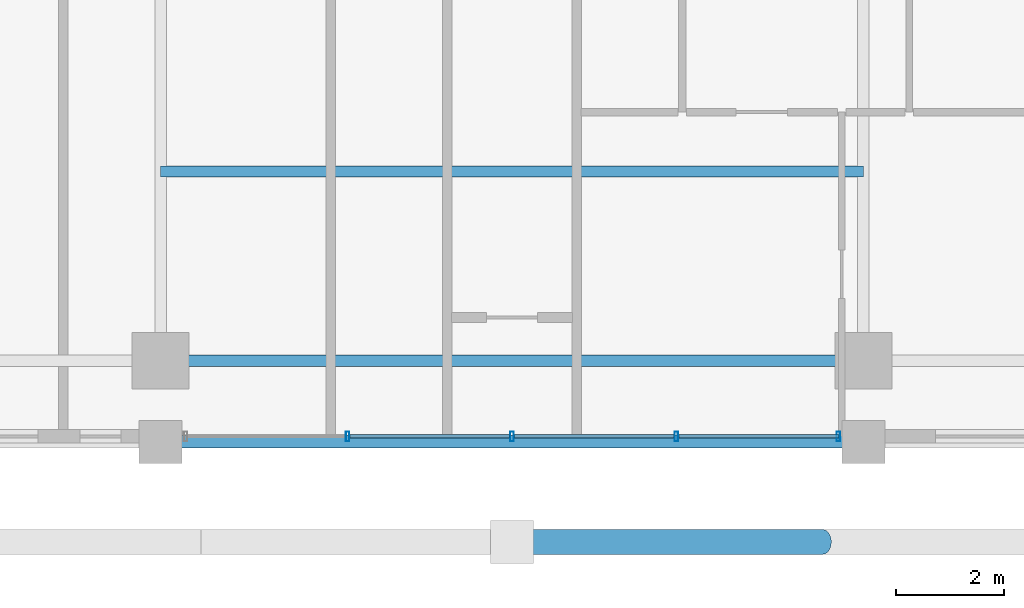
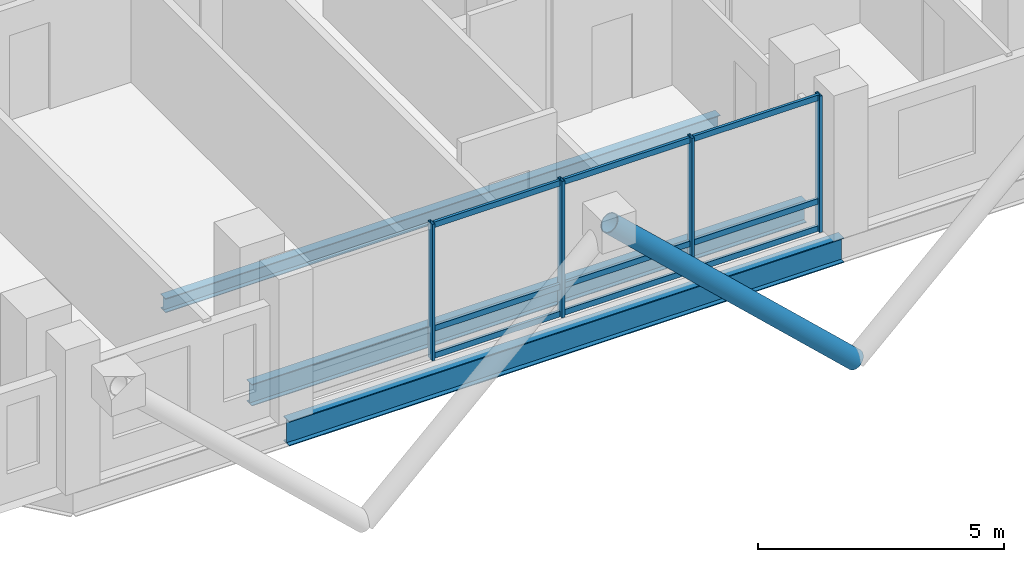
# One storey, part 4 of 24: 14 members, 3 beams, 1 element without a shape of its own.
"""IFC4 building model written with IfcOpenShell, lengths in metres."""

from ifc_helpers import new_model, si_unit, direction, frame, origin, origin_2d, place, context, subcontext, project, spatial, hollow_rectangle, hollow_circle, i_section, extrude, material, layer, layer_set, material_profile, profile_set, type_object, element, aggregate, save


model = new_model("IFC4")

# Units and contexts
model_context = context("Model", 3, precision=1e-05, world=origin(), true_north=direction((0.0, 1.0)))
body_context = subcontext(model_context, "Body", "Model", "MODEL_VIEW")
ifc_project = project(units=[si_unit("LENGTHUNIT", "METRE"), si_unit("AREAUNIT", "SQUARE_METRE"), si_unit("VOLUMEUNIT", "CUBIC_METRE"), si_unit("PLANEANGLEUNIT", "RADIAN"), si_unit("MASSUNIT", "GRAM", prefix="KILO")], contexts=[model_context])

# Site, building, storey
site_placement = place(None, origin())
site = spatial("IfcSite", under=ifc_project, at=site_placement, CompositionType="ELEMENT")
building_placement = place(site_placement, origin())
building = spatial("IfcBuilding", under=site, at=building_placement, Name="Barlavira Tower and Art Museum", CompositionType="ELEMENT")
storey_placement = place(building_placement, frame((0.0, 0.0, 172.800048828125)))
storey = spatial("IfcBuildingStorey", under=building, at=storey_placement, Name="L44", CompositionType="ELEMENT", Elevation=172.800048828125)

# Curtain wall, members
ifc_material_1 = material(Name="Low-iron coastal laminated glass", Category="glass")
ifc_layer = layer(ifc_material_1, 0.199951171875, Name="Low-iron coastal laminated glass")
ifc_layer_set = layer_set([ifc_layer], Name="Low-iron coastal laminated glass")
curtain_wall_type = type_object("IfcCurtainWallType", Name="Pale-Metal Unitised Curtain Wall Zone 3", PredefinedType="NOTDEFINED", material=ifc_layer_set)
curtain_wall_placement = place(storey_placement, origin())
curtain_wall = element("IfcCurtainWall", 1, at=curtain_wall_placement, inside=storey, type_object=curtain_wall_type, Name="L44 Curtain Wall CW3-L44-S-B3", PredefinedType="NOTDEFINED")
ifc_material_2 = material(Name="Pale anodised aluminium", Category="aluminium")
ifc_material_profile_1 = material_profile(ifc_material_2, hollow_rectangle(XDim=0.06494140625, YDim=0.179931640625, WallThickness=0.00390625, at=origin_2d()), Name="ALU-MULL 65x180x4")
ifc_profile_set_1 = profile_set([ifc_material_profile_1], Name="Pale anodised aluminium")
member_type_1 = type_object("IfcMemberType", Name="Curtain Wall Pale-Metal Mullion 65x180", PredefinedType="MULLION", material=ifc_profile_set_1)
member_1_placement = place(storey_placement, frame((-3.0400390625, -21.39990234375, 0.0), z_axis=(0.0, 0.0, 1.0), x_axis=(1.0, 0.0, 0.0)))
member_1 = element("IfcMember", 2, at=member_1_placement, type_object=member_type_1, Name="CW3-L44-S-B3 Mullion 1", PredefinedType="MULLION", context=body_context, shape_type="SweptSolid", body=[
    extrude(hollow_rectangle(XDim=0.06494140625, YDim=0.179931640625, WallThickness=0.00390625, at=origin_2d()), origin(), (0.0, 0.0, 1.0), 3.3798828125),
])
member_2_placement = place(storey_placement, frame((0.0, -21.39990234375, 0.0), z_axis=(0.0, 0.0, 1.0), x_axis=(1.0, 0.0, 0.0)))
member_2 = element("IfcMember", 3, at=member_2_placement, type_object=member_type_1, Name="CW3-L44-S-B3 Mullion 2", PredefinedType="MULLION", context=body_context, shape_type="SweptSolid", body=[
    extrude(hollow_rectangle(XDim=0.06494140625, YDim=0.179931640625, WallThickness=0.00390625, at=origin_2d()), origin(), (0.0, 0.0, 1.0), 3.3798828125),
])
member_3_placement = place(storey_placement, frame((3.0400390625, -21.39990234375, 0.0), z_axis=(0.0, 0.0, 1.0), x_axis=(1.0, 0.0, 0.0)))
member_3 = element("IfcMember", 4, at=member_3_placement, type_object=member_type_1, Name="CW3-L44-S-B3 Mullion 3", PredefinedType="MULLION", context=body_context, shape_type="SweptSolid", body=[
    extrude(hollow_rectangle(XDim=0.06494140625, YDim=0.179931640625, WallThickness=0.00390625, at=origin_2d()), origin(), (0.0, 0.0, 1.0), 3.3798828125),
])
member_4_placement = place(storey_placement, frame((6.034912109375, -21.39990234375, 0.0), z_axis=(0.0, 0.0, 1.0), x_axis=(1.0, 0.0, 0.0)))
member_4 = element("IfcMember", 5, at=member_4_placement, type_object=member_type_1, Name="CW3-L44-S-B3 Mullion 4", PredefinedType="MULLION", context=body_context, shape_type="SweptSolid", body=[
    extrude(hollow_rectangle(XDim=0.06494140625, YDim=0.179931640625, WallThickness=0.00390625, at=origin_2d()), origin(), (0.0, 0.0, 1.0), 3.3798828125),
])
ifc_material_profile_2 = material_profile(ifc_material_2, hollow_rectangle(XDim=0.06494140625, YDim=0.139892578125, WallThickness=0.00390625, at=origin_2d()), Name="ALU-TRAN 65x140x4")
ifc_profile_set_2 = profile_set([ifc_material_profile_2], Name="Pale anodised aluminium")
member_type_2 = type_object("IfcMemberType", Name="Curtain Wall Pale-Metal Transom 65x140", PredefinedType="USERDEFINED", material=ifc_profile_set_2)
member_5_placement = place(storey_placement, frame((-2.9951171875, -21.39990234375, 0.070068359375), z_axis=(1.0, 0.0, 0.0), x_axis=(0.0, 1.0, 0.0)))
member_5 = element("IfcMember", 6, at=member_5_placement, type_object=member_type_2, Name="CW3-L44-S-B3 Transom 1.1", ObjectType="TRANSOM", PredefinedType="USERDEFINED", context=body_context, shape_type="SweptSolid", body=[
    extrude(hollow_rectangle(XDim=0.06494140625, YDim=0.139892578125, WallThickness=0.00390625, at=origin_2d()), origin(), (0.0, 0.0, 1.0), 2.9501953125),
])
member_6_placement = place(storey_placement, frame((-2.9951171875, -21.39990234375, 0.743896484375), z_axis=(1.0, 0.0, 0.0), x_axis=(0.0, 1.0, 0.0)))
member_6 = element("IfcMember", 7, at=member_6_placement, type_object=member_type_2, Name="CW3-L44-S-B3 Transom 1.2", ObjectType="TRANSOM", PredefinedType="USERDEFINED", context=body_context, shape_type="SweptSolid", body=[
    extrude(hollow_rectangle(XDim=0.06494140625, YDim=0.139892578125, WallThickness=0.00390625, at=origin_2d()), origin(), (0.0, 0.0, 1.0), 2.9501953125),
])
member_7_placement = place(storey_placement, frame((-2.9951171875, -21.39990234375, 3.31005859375), z_axis=(1.0, 0.0, 0.0), x_axis=(0.0, 1.0, 0.0)))
member_7 = element("IfcMember", 8, at=member_7_placement, type_object=member_type_2, Name="CW3-L44-S-B3 Transom 1.3", ObjectType="TRANSOM", PredefinedType="USERDEFINED", context=body_context, shape_type="SweptSolid", body=[
    extrude(hollow_rectangle(XDim=0.06494140625, YDim=0.139892578125, WallThickness=0.00390625, at=origin_2d()), origin(), (0.0, 0.0, 1.0), 2.9501953125),
])
member_8_placement = place(storey_placement, frame((0.044921875, -21.39990234375, 0.070068359375), z_axis=(1.0, 0.0, 0.0), x_axis=(0.0, 1.0, 0.0)))
member_8 = element("IfcMember", 9, at=member_8_placement, type_object=member_type_2, Name="CW3-L44-S-B3 Transom 2.1", ObjectType="TRANSOM", PredefinedType="USERDEFINED", context=body_context, shape_type="SweptSolid", body=[
    extrude(hollow_rectangle(XDim=0.06494140625, YDim=0.139892578125, WallThickness=0.00390625, at=origin_2d()), origin(), (0.0, 0.0, 1.0), 2.9501953125),
])
member_9_placement = place(storey_placement, frame((0.044921875, -21.39990234375, 0.743896484375), z_axis=(1.0, 0.0, 0.0), x_axis=(0.0, 1.0, 0.0)))
member_9 = element("IfcMember", 10, at=member_9_placement, type_object=member_type_2, Name="CW3-L44-S-B3 Transom 2.2", ObjectType="TRANSOM", PredefinedType="USERDEFINED", context=body_context, shape_type="SweptSolid", body=[
    extrude(hollow_rectangle(XDim=0.06494140625, YDim=0.139892578125, WallThickness=0.00390625, at=origin_2d()), origin(), (0.0, 0.0, 1.0), 2.9501953125),
])
member_10_placement = place(storey_placement, frame((0.044921875, -21.39990234375, 3.31005859375), z_axis=(1.0, 0.0, 0.0), x_axis=(0.0, 1.0, 0.0)))
member_10 = element("IfcMember", 11, at=member_10_placement, type_object=member_type_2, Name="CW3-L44-S-B3 Transom 2.3", ObjectType="TRANSOM", PredefinedType="USERDEFINED", context=body_context, shape_type="SweptSolid", body=[
    extrude(hollow_rectangle(XDim=0.06494140625, YDim=0.139892578125, WallThickness=0.00390625, at=origin_2d()), origin(), (0.0, 0.0, 1.0), 2.9501953125),
])
member_11_placement = place(storey_placement, frame((3.0849609375, -21.39990234375, 0.070068359375), z_axis=(1.0, 0.0, 0.0), x_axis=(0.0, 1.0, 0.0)))
member_11 = element("IfcMember", 12, at=member_11_placement, type_object=member_type_2, Name="CW3-L44-S-B3 Transom 3.1", ObjectType="TRANSOM", PredefinedType="USERDEFINED", context=body_context, shape_type="SweptSolid", body=[
    extrude(hollow_rectangle(XDim=0.06494140625, YDim=0.139892578125, WallThickness=0.00390625, at=origin_2d()), origin(), (0.0, 0.0, 1.0), 2.949951171875),
])
member_12_placement = place(storey_placement, frame((3.0849609375, -21.39990234375, 0.743896484375), z_axis=(1.0, 0.0, 0.0), x_axis=(0.0, 1.0, 0.0)))
member_12 = element("IfcMember", 13, at=member_12_placement, type_object=member_type_2, Name="CW3-L44-S-B3 Transom 3.2", ObjectType="TRANSOM", PredefinedType="USERDEFINED", context=body_context, shape_type="SweptSolid", body=[
    extrude(hollow_rectangle(XDim=0.06494140625, YDim=0.139892578125, WallThickness=0.00390625, at=origin_2d()), origin(), (0.0, 0.0, 1.0), 2.949951171875),
])
member_13_placement = place(storey_placement, frame((3.0849609375, -21.39990234375, 3.31005859375), z_axis=(1.0, 0.0, 0.0), x_axis=(0.0, 1.0, 0.0)))
member_13 = element("IfcMember", 14, at=member_13_placement, type_object=member_type_2, Name="CW3-L44-S-B3 Transom 3.3", ObjectType="TRANSOM", PredefinedType="USERDEFINED", context=body_context, shape_type="SweptSolid", body=[
    extrude(hollow_rectangle(XDim=0.06494140625, YDim=0.139892578125, WallThickness=0.00390625, at=origin_2d()), origin(), (0.0, 0.0, 1.0), 2.949951171875),
])
aggregate(curtain_wall, [member_1, member_2, member_3, member_4, member_5, member_6, member_7, member_8, member_9, member_10, member_11, member_12, member_13])

# Member
ifc_material_3 = material(Name="Steel S355", Category="steel")
ifc_material_profile_3 = material_profile(ifc_material_3, hollow_circle(Radius=0.228515625, WallThickness=0.02001953125, at=origin_2d()), Name="CHS 457.0x20.0")
ifc_profile_set_3 = profile_set([ifc_material_profile_3], Name="Steel S355")
member_type_3 = type_object("IfcMemberType", Name="Pale-Metal Exoskeleton Diagrid Tube CHS 457x20 Steel S355", PredefinedType="BRACE", material=ifc_profile_set_3)
member_14_placement = place(storey_placement, frame((5.75, -23.35009765625, -1.920166015625), z_axis=(-0.728934650808, 0.0, 0.684583285548), x_axis=(0.0, -1.0, 0.0)))
element("IfcMember", 15, at=member_14_placement, inside=storey, type_object=member_type_3, Name="L44 Exoskeleton Diagrid Tube S", PredefinedType="BRACE", context=body_context, shape_type="SweptSolid", body=[
    extrude(hollow_circle(Radius=0.228515625, WallThickness=0.02001953125, at=origin_2d()), origin(), (0.0, 0.0, 1.0), 7.88818359375),
])

# Beams
ifc_material_profile_4 = material_profile(ifc_material_3, i_section(OverallWidth=0.22998046875, OverallDepth=0.616943359375, WebThickness=0.01318359375, FlangeThickness=0.022216796875, at=origin_2d()), Name="W610x140.0")
ifc_profile_set_4 = profile_set([ifc_material_profile_4], Name="Steel S355")
beam_type_1 = type_object("IfcBeamType", Name="Upper Shaft Spandrel Edge Beam W610x140 Steel S355", PredefinedType="SPANDREL", material=ifc_profile_set_4)
beam_1_placement = place(storey_placement, frame((-6.5, -21.5, -0.528564453125), z_axis=(1.0, 0.0, 0.0), x_axis=(0.0, 1.0, 0.0)))
element("IfcBeam", 16, at=beam_1_placement, inside=storey, type_object=beam_type_1, Name="L44 Spandrel 2", PredefinedType="SPANDREL", context=body_context, shape_type="SweptSolid", body=[
    extrude(i_section(OverallWidth=0.22998046875, OverallDepth=0.616943359375, WebThickness=0.01318359375, FlangeThickness=0.022216796875, at=origin_2d()), origin(), (0.0, 0.0, 1.0), 13.0),
])
ifc_material_profile_5 = material_profile(ifc_material_3, i_section(OverallWidth=0.205078125, OverallDepth=0.35400390625, WebThickness=0.009521484375, FlangeThickness=0.016845703125, at=origin_2d()), Name="W360x79.0")
ifc_profile_set_5 = profile_set([ifc_material_profile_5], Name="Steel S355")
beam_type_2 = type_object("IfcBeamType", Name="Zone 3 Composite Floor Joist W360x79 Steel S355", PredefinedType="JOIST", material=ifc_profile_set_5)
beam_2_placement = place(storey_placement, frame((-6.5, -16.5, -0.39697265625), z_axis=(1.0, 0.0, 0.0), x_axis=(0.0, 1.0, 0.0)))
element("IfcBeam", 17, at=beam_2_placement, inside=storey, type_object=beam_type_2, Name="L44 Joist C1", PredefinedType="JOIST", context=body_context, shape_type="SweptSolid", body=[
    extrude(i_section(OverallWidth=0.205078125, OverallDepth=0.35400390625, WebThickness=0.009521484375, FlangeThickness=0.016845703125, at=origin_2d()), origin(), (0.0, 0.0, 1.0), 13.0),
])
ifc_material_profile_6 = material_profile(ifc_material_3, i_section(OverallWidth=0.2109375, OverallDepth=0.5390625, WebThickness=0.01171875, FlangeThickness=0.018798828125, at=origin_2d()), Name="W530x109.0")
ifc_profile_set_6 = profile_set([ifc_material_profile_6], Name="Steel S355")
beam_type_3 = type_object("IfcBeamType", Name="Zone 3-4 Primary Floor Girder W530x109 Steel S355", PredefinedType="BEAM", material=ifc_profile_set_6)
beam_3_placement = place(storey_placement, frame((-6.5, -20.0, -0.489501953125), z_axis=(1.0, 0.0, 0.0), x_axis=(0.0, 1.0, 0.0)))
element("IfcBeam", 18, at=beam_3_placement, inside=storey, type_object=beam_type_3, Name="L44 Girder M-S2", PredefinedType="BEAM", context=body_context, shape_type="SweptSolid", body=[
    extrude(i_section(OverallWidth=0.2109375, OverallDepth=0.5390625, WebThickness=0.01171875, FlangeThickness=0.018798828125, at=origin_2d()), origin(), (0.0, 0.0, 1.0), 13.0),
])

save(model, "model.ifc")
